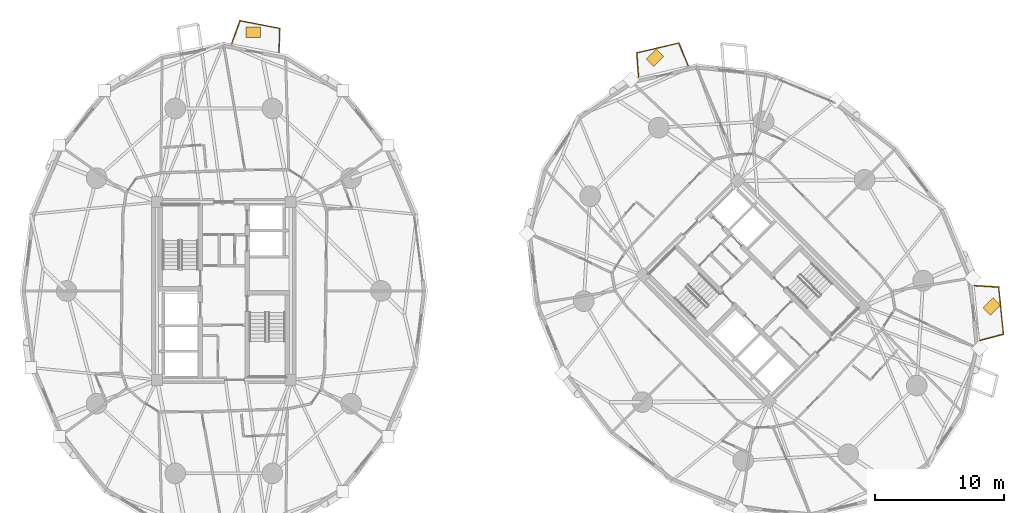
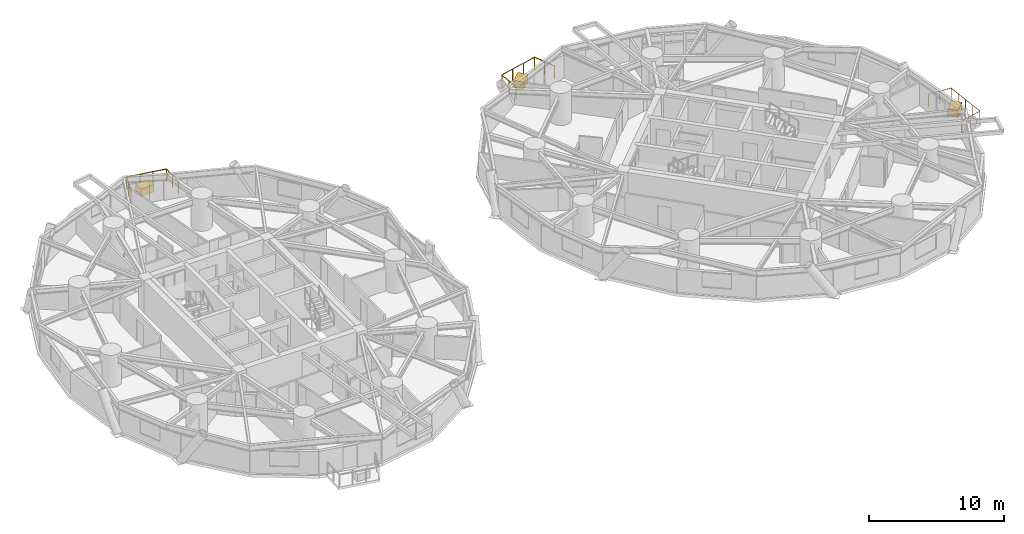
# One storey, part 19 of 19: 3 coverings, 3 railings.
"""IFC4 building model written with IfcOpenShell, lengths in metres."""

from ifc_helpers import new_model, si_unit, direction, frame, origin, origin_2d, place, context, subcontext, project, spatial, rectangle, circle, extrude, source, transform, mapped, material, layer, layer_set, type_object, element, save


model = new_model("IFC4")

# Units and contexts
model_context = context("Model", 3, precision=1e-05, world=origin(), true_north=direction((0.0, 1.0)))
body_context = subcontext(model_context, "Body", "Model", "MODEL_VIEW")
ifc_project = project(units=[si_unit("LENGTHUNIT", "METRE"), si_unit("AREAUNIT", "SQUARE_METRE"), si_unit("VOLUMEUNIT", "CUBIC_METRE"), si_unit("PLANEANGLEUNIT", "RADIAN"), si_unit("MASSUNIT", "GRAM", prefix="KILO")], contexts=[model_context])

# Site, building, storey
site_placement = place(None, origin())
site = spatial("IfcSite", under=ifc_project, at=site_placement, CompositionType="ELEMENT")
building_placement = place(site_placement, origin())
building = spatial("IfcBuilding", under=site, at=building_placement, Name="Cununo Teusaquillo Station Towers", CompositionType="ELEMENT")
storey_placement = place(building_placement, frame((0.0, 0.0, 30.72998046875)))
storey = spatial("IfcBuildingStorey", under=building, at=storey_placement, Name="L08", CompositionType="ELEMENT", Elevation=30.72998046875)

# Railings
ifc_material_1 = material(Name="Anodised dark bronze aluminium EN AW-6063-T6", Category="aluminium")
railing_type = type_object("IfcRailingType", Name="RL-EXT-GUARD", PredefinedType="GUARDRAIL", material=ifc_material_1)
railing_1_placement = place(storey_placement, frame((17.1181640625, 43.671875, 0.0)))
element("IfcRailing", 1, at=railing_1_placement, inside=storey, type_object=railing_type, Name="L08 Tower A Balcony Guardrail C04", PredefinedType="GUARDRAIL", context=body_context, shape_type="SweptSolid", body=[
    extrude(circle(Radius=0.02392578125, at=origin_2d()), frame((0.0, 0.0, 1.1259765625), z_axis=(0.343888798081, 0.93901038043, 0.0), x_axis=(-0.93901038043, 0.343888798081, 0.0)), (0.0, 0.0, 1.0), 1.86279296875),
    extrude(circle(Radius=0.02392578125, at=origin_2d()), frame((0.640625, 1.749267578125, 1.1259765625), z_axis=(0.981838510886, -0.189718577217, 0.0), x_axis=(0.189718577217, 0.981838510886, 0.0)), (0.0, 0.0, 1.0), 3.12841796875),
    extrude(circle(Radius=0.02392578125, at=origin_2d()), frame((3.712158203125, 1.15576171875, 1.1259765625), z_axis=(-0.030666047799, -0.999529686159, 0.0), x_axis=(0.999529686159, -0.030666047799, 0.0)), (0.0, 0.0, 1.0), 1.863037109375),
    extrude(circle(Radius=0.02099609375, at=origin_2d()), origin(), (0.0, 0.0, 1.0), 1.101806640625),
    extrude(circle(Radius=0.02099609375, at=origin_2d()), frame((0.3203125, 0.87451171875, 0.0)), (0.0, 0.0, 1.0), 1.101806640625),
    extrude(circle(Radius=0.02099609375, at=origin_2d()), frame((0.640625, 1.749267578125, 0.0)), (0.0, 0.0, 1.0), 1.101806640625),
    extrude(circle(Radius=0.02099609375, at=origin_2d()), frame((1.66455078125, 1.551513671875, 0.0)), (0.0, 0.0, 1.0), 1.101806640625),
    extrude(circle(Radius=0.02099609375, at=origin_2d()), frame((2.688232421875, 1.353515625, 0.0)), (0.0, 0.0, 1.0), 1.101806640625),
    extrude(circle(Radius=0.02099609375, at=origin_2d()), frame((3.712158203125, 1.15576171875, 0.0)), (0.0, 0.0, 1.0), 1.101806640625),
    extrude(circle(Radius=0.02099609375, at=origin_2d()), frame((3.68359375, 0.224609375, 0.0)), (0.0, 0.0, 1.0), 1.101806640625),
    extrude(circle(Radius=0.02099609375, at=origin_2d()), frame((3.655029296875, -0.706298828125, 0.0)), (0.0, 0.0, 1.0), 1.101806640625),
])
railing_2_placement = place(storey_placement, frame((48.599609375, 41.072998046875, 0.0)))
element("IfcRailing", 2, at=railing_2_placement, inside=storey, type_object=railing_type, Name="L08 Tower B Balcony Guardrail C03", PredefinedType="GUARDRAIL", context=body_context, shape_type="SweptSolid", body=[
    extrude(circle(Radius=0.02392578125, at=origin_2d()), frame((0.0, 0.0, 1.1259765625), z_axis=(-0.069071464102, 0.99761171447, 0.0), x_axis=(-0.99761171447, -0.069071464102, 0.0)), (0.0, 0.0, 1.0), 1.8662109375),
    extrude(circle(Radius=0.02392578125, at=origin_2d()), frame((-0.12890625, 1.86181640625, 1.1259765625), z_axis=(0.973837434366, 0.227245795181, 0.0), x_axis=(-0.227245795181, 0.973837434366, 0.0)), (0.0, 0.0, 1.0), 3.339111328125),
    extrude(circle(Radius=0.02392578125, at=origin_2d()), frame((3.122802734375, 2.62060546875, 1.1259765625), z_axis=(0.379697009534, -0.925110901974, 0.0), x_axis=(0.925110901974, 0.379697009534, 0.0)), (0.0, 0.0, 1.0), 1.86669921875),
    extrude(circle(Radius=0.02099609375, at=origin_2d()), origin(), (0.0, 0.0, 1.0), 1.101806640625),
    extrude(circle(Radius=0.02099609375, at=origin_2d()), frame((-0.064453125, 0.930908203125, 0.0)), (0.0, 0.0, 1.0), 1.101806640625),
    extrude(circle(Radius=0.02099609375, at=origin_2d()), frame((-0.12890625, 1.86181640625, 0.0)), (0.0, 0.0, 1.0), 1.101806640625),
    extrude(circle(Radius=0.02099609375, at=origin_2d()), frame((0.955078125, 2.11474609375, 0.0)), (0.0, 0.0, 1.0), 1.101806640625),
    extrude(circle(Radius=0.02099609375, at=origin_2d()), frame((2.038818359375, 2.36767578125, 0.0)), (0.0, 0.0, 1.0), 1.101806640625),
    extrude(circle(Radius=0.02099609375, at=origin_2d()), frame((3.122802734375, 2.62060546875, 0.0)), (0.0, 0.0, 1.0), 1.101806640625),
    extrude(circle(Radius=0.02099609375, at=origin_2d()), frame((3.47705078125, 1.75732421875, 0.0)), (0.0, 0.0, 1.0), 1.101806640625),
    extrude(circle(Radius=0.02099609375, at=origin_2d()), frame((3.83154296875, 0.893798828125, 0.0)), (0.0, 0.0, 1.0), 1.101806640625),
])
railing_3_placement = place(storey_placement, frame((74.62548828125, 24.908935546875, 0.0)))
element("IfcRailing", 3, at=railing_3_placement, inside=storey, type_object=railing_type, Name="L08 Tower B Balcony Guardrail C17", PredefinedType="GUARDRAIL", context=body_context, shape_type="SweptSolid", body=[
    extrude(circle(Radius=0.02392578125, at=origin_2d()), frame((0.0, 0.0, 1.1259765625), z_axis=(0.998125995289, -0.06119229958, 0.0), x_axis=(0.06119229958, 0.998125995289, 0.0)), (0.0, 0.0, 1.0), 1.87109375),
    extrude(circle(Radius=0.02392578125, at=origin_2d()), frame((1.86767578125, -0.114501953125, 1.1259765625), z_axis=(0.098626153008, -0.995124555994, 0.0), x_axis=(0.995124555994, 0.098626153008, 0.0)), (0.0, 0.0, 1.0), 3.66357421875),
    extrude(circle(Radius=0.02392578125, at=origin_2d()), frame((2.22900390625, -3.76025390625, 1.1259765625), z_axis=(-0.966711872739, -0.255867456127, 0.0), x_axis=(0.255867456127, -0.966711872739, 0.0)), (0.0, 0.0, 1.0), 1.87109375),
    extrude(circle(Radius=0.02099609375, at=origin_2d()), origin(), (0.0, 0.0, 1.0), 1.101806640625),
    extrude(circle(Radius=0.02099609375, at=origin_2d()), frame((0.933837890625, -0.05712890625, 0.0)), (0.0, 0.0, 1.0), 1.101806640625),
    extrude(circle(Radius=0.02099609375, at=origin_2d()), frame((1.86767578125, -0.114501953125, 0.0)), (0.0, 0.0, 1.0), 1.101806640625),
    extrude(circle(Radius=0.02099609375, at=origin_2d()), frame((1.9580078125, -1.02587890625, 0.0)), (0.0, 0.0, 1.0), 1.101806640625),
    extrude(circle(Radius=0.02099609375, at=origin_2d()), frame((2.04833984375, -1.9375, 0.0)), (0.0, 0.0, 1.0), 1.101806640625),
    extrude(circle(Radius=0.02099609375, at=origin_2d()), frame((2.138671875, -2.848876953125, 0.0)), (0.0, 0.0, 1.0), 1.101806640625),
    extrude(circle(Radius=0.02099609375, at=origin_2d()), frame((2.22900390625, -3.76025390625, 0.0)), (0.0, 0.0, 1.0), 1.101806640625),
    extrude(circle(Radius=0.02099609375, at=origin_2d()), frame((1.32470703125, -3.99951171875, 0.0)), (0.0, 0.0, 1.0), 1.101806640625),
    extrude(circle(Radius=0.02099609375, at=origin_2d()), frame((0.420166015625, -4.239013671875, 0.0)), (0.0, 0.0, 1.0), 1.101806640625),
])

# Coverings
ifc_material_2 = material(Name="Architectural GRC planter shell and engineered root-zone substrate", Category="concrete")
ifc_layer = layer(ifc_material_2, 0.64990234375)
ifc_layer_set = layer_set([ifc_layer], Name="Architectural GRC planter shell and engineered root-zone substrate")
covering_type = type_object("IfcCoveringType", Name="COV-TREE-PLANTER", PredefinedType="CLADDING", material=ifc_layer_set)
shared_shape = source(origin(), body_context, "Body", "SweptSolid", [
    extrude(rectangle(XDim=1.10009765625, YDim=0.800048828125, at=origin_2d()), origin(), (0.0, 0.0, 1.0), 0.64990234375),
])
for number, where, z_axis, x_axis, name in (
    (4, (18.78515625, 44.51708984375, 0.0), (0.0, 0.0, 1.0), (1.0, 0.0, 0.0), "L08 Tower A Balcony Tree PLANTER C04"),
    (5, (49.87939453125, 42.550048828125, 0.0), (0.0, 0.0, 1.0), (0.707106781187, 0.707106781187, 0.0), "L08 Tower B Balcony Tree PLANTER C03"),
    (6, (75.94189453125, 23.285888671875, 0.0), (0.0, 0.0, 1.0), (0.707106781187, 0.707106781187, 0.0), "L08 Tower B Balcony Tree PLANTER C17"),
):
    element("IfcCovering", number, at=place(storey_placement, frame(where, z_axis=z_axis, x_axis=x_axis)), inside=storey, type_object=covering_type, Name=name, PredefinedType="CLADDING", context=body_context, shape_type="MappedRepresentation", body=[
        mapped(shared_shape, transform((0.0, 0.0, 0.0), x_axis=(1.0, 0.0, 0.0), y_axis=(0.0, 1.0, 0.0), z_axis=(0.0, 0.0, 1.0), scale=1.0)),
    ])

save(model, "model.ifc")
